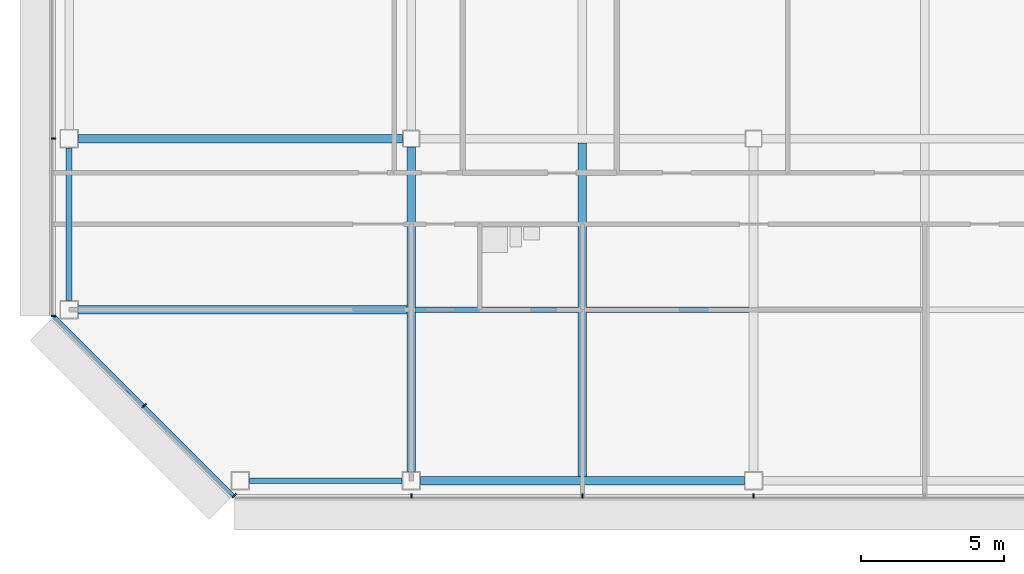
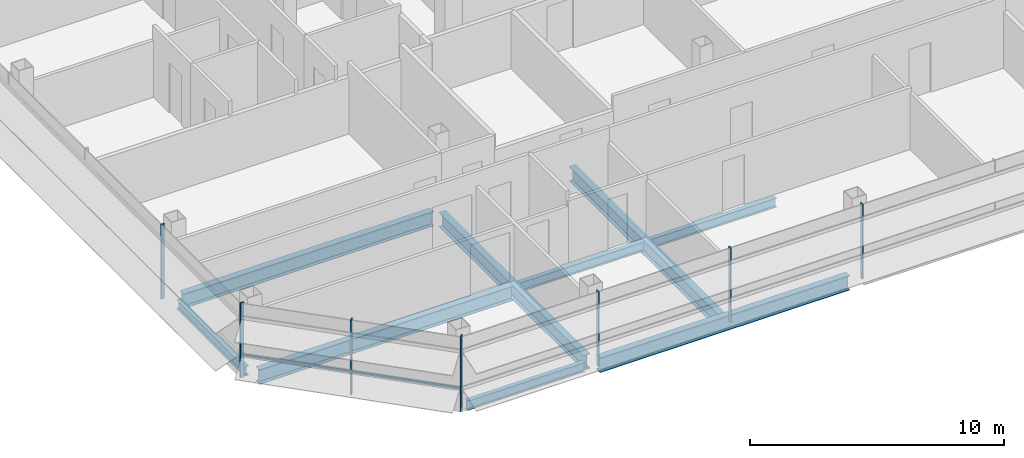
# One storey, part 2 of 26: 9 beams, 8 members, 3 elements without a shape of their own.
"""IFC4 building model written with IfcOpenShell, lengths in metres."""

from ifc_helpers import new_model, si_unit, direction, frame, origin, origin_2d, place, context, subcontext, project, spatial, rectangle, i_section, extrude, material, material_profile, profile_set, type_object, element, aggregate, save


model = new_model("IFC4")

# Units and contexts
model_context = context("Model", 3, precision=1e-05, world=origin(), true_north=direction((0.0, 1.0)))
body_context = subcontext(model_context, "Body", "Model", "MODEL_VIEW")
ifc_project = project(units=[si_unit("LENGTHUNIT", "METRE"), si_unit("AREAUNIT", "SQUARE_METRE"), si_unit("VOLUMEUNIT", "CUBIC_METRE"), si_unit("PLANEANGLEUNIT", "RADIAN"), si_unit("MASSUNIT", "GRAM", prefix="KILO")], contexts=[model_context])

# Site, building, storey
site_placement = place(None, origin())
site = spatial("IfcSite", under=ifc_project, at=site_placement, CompositionType="ELEMENT")
building_placement = place(site_placement, origin())
building = spatial("IfcBuilding", under=site, at=building_placement, Name="Sorahane Residences", CompositionType="ELEMENT")
storey_placement = place(building_placement, frame((0.0, 0.0, 222.60009765625)))
storey = spatial("IfcBuildingStorey", under=building, at=storey_placement, Name="L52", CompositionType="ELEMENT", Elevation=222.60009765625)

# Curtain wall, members
ifc_material_1 = material(Name="Dark low-e glass and black anodised aluminium", Category="aluminium")
curtain_wall_type_1 = type_object("IfcCurtainWallType", Name="Curtain wall CW-1 Typical unitised wall", PredefinedType="NOTDEFINED", material=ifc_material_1)
curtain_wall_1_placement = place(storey_placement, origin())
curtain_wall_1 = element("IfcCurtainWall", 1, at=curtain_wall_1_placement, inside=storey, type_object=curtain_wall_type_1, Name="CW-1 curtain wall L52 S1", PredefinedType="NOTDEFINED")
ifc_material_2 = material(Name="Black anodised aluminium", Category="aluminium")
ifc_material_profile_1 = material_profile(ifc_material_2, rectangle(XDim=0.159912109375, YDim=0.050048828125, at=origin_2d()), Name="Curtain wall mullion CW-1 black anodised aluminium 50x160")
ifc_profile_set_1 = profile_set([ifc_material_profile_1], Name="Black anodised aluminium")
member_type_1 = type_object("IfcMemberType", Name="Curtain wall mullion CW-1 black anodised aluminium 50x160", PredefinedType="MULLION", material=ifc_profile_set_1)
member_1_placement = place(storey_placement, frame((0.0, -0.5400390625, -0.18017578125), z_axis=(0.0, 0.0, 1.0), x_axis=(0.0, -1.0, 0.0)))
member_1 = element("IfcMember", 2, at=member_1_placement, type_object=member_type_1, Name="CW-1 mullion L52 S1.2", PredefinedType="MULLION", context=body_context, shape_type="SweptSolid", body=[
    extrude(rectangle(XDim=0.159912109375, YDim=0.050048828125, at=origin_2d()), origin(), (0.0, 0.0, 1.0), 3.60009765625),
])
member_2_placement = place(storey_placement, frame((6.0, -0.5400390625, -0.18017578125), z_axis=(0.0, 0.0, 1.0), x_axis=(0.0, -1.0, 0.0)))
member_2 = element("IfcMember", 3, at=member_2_placement, type_object=member_type_1, Name="CW-1 mullion L52 S1.3", PredefinedType="MULLION", context=body_context, shape_type="SweptSolid", body=[
    extrude(rectangle(XDim=0.159912109375, YDim=0.050048828125, at=origin_2d()), origin(), (0.0, 0.0, 1.0), 3.60009765625),
])
member_3_placement = place(storey_placement, frame((12.0, -0.5400390625, -0.18017578125), z_axis=(0.0, 0.0, 1.0), x_axis=(0.0, -1.0, 0.0)))
member_3 = element("IfcMember", 4, at=member_3_placement, type_object=member_type_1, Name="CW-1 mullion L52 S1.4", PredefinedType="MULLION", context=body_context, shape_type="SweptSolid", body=[
    extrude(rectangle(XDim=0.159912109375, YDim=0.050048828125, at=origin_2d()), origin(), (0.0, 0.0, 1.0), 3.60009765625),
])
aggregate(curtain_wall_1, [member_1, member_2, member_3])

curtain_wall_2_placement = place(storey_placement, origin())
curtain_wall_2 = element("IfcCurtainWall", 5, at=curtain_wall_2_placement, inside=storey, type_object=curtain_wall_type_1, Name="CW-1 curtain wall L52 W1", PredefinedType="NOTDEFINED")
member_4_placement = place(storey_placement, frame((-12.5400390625, 12.0, -0.18017578125), z_axis=(0.0, 0.0, 1.0), x_axis=(-1.0, 0.0, 0.0)))
member_4 = element("IfcMember", 6, at=member_4_placement, type_object=member_type_1, Name="CW-1 mullion L52 W1.6", PredefinedType="MULLION", context=body_context, shape_type="SweptSolid", body=[
    extrude(rectangle(XDim=0.159912109375, YDim=0.050048828125, at=origin_2d()), origin(), (0.0, 0.0, 1.0), 3.60009765625),
])
member_5_placement = place(storey_placement, frame((-12.5400390625, 5.7763671875, -0.18017578125), z_axis=(0.0, 0.0, 1.0), x_axis=(-1.0, 0.0, 0.0)))
member_5 = element("IfcMember", 7, at=member_5_placement, type_object=member_type_1, Name="CW-1 mullion L52 W1.7", PredefinedType="MULLION", context=body_context, shape_type="SweptSolid", body=[
    extrude(rectangle(XDim=0.159912109375, YDim=0.050048828125, at=origin_2d()), origin(), (0.0, 0.0, 1.0), 3.60009765625),
])
aggregate(curtain_wall_2, [member_4, member_5])

ifc_material_3 = material(Name="Dark low-e glass and black anodised aluminium", Category="aluminium")
curtain_wall_type_2 = type_object("IfcCurtainWallType", Name="Curtain wall CW-2 Chamfer unitised wall", PredefinedType="NOTDEFINED", material=ifc_material_3)
curtain_wall_3_placement = place(storey_placement, origin())
curtain_wall_3 = element("IfcCurtainWall", 8, at=curtain_wall_3_placement, inside=storey, type_object=curtain_wall_type_2, Name="CW-2 curtain wall L52 SW1", PredefinedType="NOTDEFINED")
ifc_material_4 = material(Name="Black anodised aluminium", Category="aluminium")
ifc_material_profile_2 = material_profile(ifc_material_4, rectangle(XDim=0.199951171875, YDim=0.050048828125, at=origin_2d()), Name="Curtain wall mullion CW-2 black anodised aluminium 50x200")
ifc_profile_set_2 = profile_set([ifc_material_profile_2], Name="Black anodised aluminium")
member_type_2 = type_object("IfcMemberType", Name="Curtain wall mullion CW-2 black anodised aluminium 50x200", PredefinedType="MULLION", material=ifc_profile_set_2)
member_6_placement = place(storey_placement, frame((-9.36767578125, 2.63232421875, -0.18017578125), z_axis=(0.0, 0.0, 1.0), x_axis=(-0.707106781187, -0.707106781187, 0.0)))
member_6 = element("IfcMember", 9, at=member_6_placement, type_object=member_type_2, Name="CW-2 mullion L52 SW1.2", PredefinedType="MULLION", context=body_context, shape_type="SweptSolid", body=[
    extrude(rectangle(XDim=0.199951171875, YDim=0.050048828125, at=origin_2d()), origin(), (0.0, 0.0, 1.0), 3.60009765625),
])
member_7_placement = place(storey_placement, frame((-6.209716796875, -0.525634765625, -0.18017578125), z_axis=(0.0, 0.0, 1.0), x_axis=(-0.707106781187, -0.707106781187, 0.0)))
member_7 = element("IfcMember", 10, at=member_7_placement, type_object=member_type_2, Name="CW-2 mullion L52 SW1.3", PredefinedType="MULLION", context=body_context, shape_type="SweptSolid", body=[
    extrude(rectangle(XDim=0.199951171875, YDim=0.050048828125, at=origin_2d()), origin(), (0.0, 0.0, 1.0), 3.60009765625),
])
ifc_material_5 = material(Name="Black anodised aluminium", Category="aluminium")
ifc_material_profile_3 = material_profile(ifc_material_5, rectangle(XDim=0.10009765625, YDim=0.06005859375, at=origin_2d()), Name="Curtain wall transom CW-2 black anodised aluminium 60x100")
ifc_profile_set_3 = profile_set([ifc_material_profile_3], Name="Black anodised aluminium")
member_type_3 = type_object("IfcMemberType", Name="Curtain wall transom CW-2 black anodised aluminium 60x100", PredefinedType="USERDEFINED", material=ifc_profile_set_3)
member_8_placement = place(storey_placement, frame((-12.51513671875, 5.765625, 0.89990234375), z_axis=(0.707106781187, -0.707106781187, 0.0), x_axis=(0.707106781187, 0.707106781187, 0.0)))
member_8 = element("IfcMember", 11, at=member_8_placement, type_object=member_type_3, Name="CW-2 transom L52 SW1", ObjectType="TRANSOM", PredefinedType="USERDEFINED", context=body_context, shape_type="SweptSolid", body=[
    extrude(rectangle(XDim=0.10009765625, YDim=0.06005859375, at=origin_2d()), origin(), (0.0, 0.0, 1.0), 8.88232421875),
])
aggregate(curtain_wall_3, [member_6, member_7, member_8])

# Beams
ifc_material_6 = material(Name="Steel Q355B", Category="steel")
ifc_material_profile_4 = material_profile(ifc_material_6, i_section(OverallWidth=0.199951171875, OverallDepth=0.449951171875, WebThickness=0.009033203125, FlangeThickness=0.013916015625, FilletRadius=0.02001953125, at=origin_2d()), Name="HN 450x200x9x14")
ifc_profile_set_4 = profile_set([ifc_material_profile_4], Name="Steel Q355B")
beam_type_1 = type_object("IfcBeamType", Name="Steel floor beam HN 450x200x9x14 Q355B", PredefinedType="BEAM", material=ifc_profile_set_4)
for number, where, z_axis, x_axis, name in (
    (12, (-5.675048828125, 0.0, -0.405029296875), (1.0, 0.0, 0.0), (0.0, 1.0, 0.0), "Beam L52 000"),
    (13, (-12.0, 6.324951171875, -0.405029296875), (0.0, 1.0, 0.0), (-1.0, 0.0, 0.0), "Beam L52 020"),
):
    element("IfcBeam", number, at=place(storey_placement, frame(where, z_axis=z_axis, x_axis=x_axis)), inside=storey, type_object=beam_type_1, Name=name, PredefinedType="BEAM", context=body_context, shape_type="SweptSolid", body=[
        extrude(i_section(OverallWidth=0.199951171875, OverallDepth=0.449951171875, WebThickness=0.009033203125, FlangeThickness=0.013916015625, FilletRadius=0.02001953125, at=origin_2d()), origin(), (0.0, 0.0, 1.0), 5.35009765625),
    ])
for number, where, z_axis, x_axis, name in (
    (14, (0.14990234375, 6.0, -0.405029296875), (1.0, 0.0, 0.0), (0.0, 1.0, 0.0), "Beam L52 069"),
    (15, (6.14990234375, 6.0, -0.405029296875), (1.0, 0.0, 0.0), (0.0, 1.0, 0.0), "Beam L52 070"),
):
    element("IfcBeam", number, at=place(storey_placement, frame(where, z_axis=z_axis, x_axis=x_axis)), inside=storey, type_object=beam_type_1, Name=name, PredefinedType="BEAM", context=body_context, shape_type="SweptSolid", body=[
        extrude(i_section(OverallWidth=0.199951171875, OverallDepth=0.449951171875, WebThickness=0.009033203125, FlangeThickness=0.013916015625, FilletRadius=0.02001953125, at=origin_2d()), origin(), (0.0, 0.0, 1.0), 5.7001953125),
    ])
ifc_material_7 = material(Name="Steel Q355B", Category="steel")
ifc_material_profile_5 = material_profile(ifc_material_7, i_section(OverallWidth=0.300048828125, OverallDepth=0.699951171875, WebThickness=0.012939453125, FlangeThickness=0.02392578125, FilletRadius=0.028076171875, at=origin_2d()), Name="HN 700x300x13x24")
ifc_profile_set_5 = profile_set([ifc_material_profile_5], Name="Steel Q355B")
beam_type_2 = type_object("IfcBeamType", Name="Steel floor beam HN 700x300x13x24 Q355B", PredefinedType="BEAM", material=ifc_profile_set_5)
beam_1_placement = place(storey_placement, frame((0.324951171875, 0.0, -0.530029296875), z_axis=(1.0, 0.0, 0.0), x_axis=(0.0, 1.0, 0.0)))
element("IfcBeam", 16, at=beam_1_placement, inside=storey, type_object=beam_type_2, Name="Beam L52 001", PredefinedType="BEAM", context=body_context, shape_type="SweptSolid", body=[
    extrude(i_section(OverallWidth=0.300048828125, OverallDepth=0.699951171875, WebThickness=0.012939453125, FlangeThickness=0.02392578125, FilletRadius=0.028076171875, at=origin_2d()), origin(), (0.0, 0.0, 1.0), 11.35009765625),
])
for number, where, z_axis, x_axis, name in (
    (17, (-11.675048828125, 12.0, -0.530029296875), (1.0, 0.0, 0.0), (0.0, 1.0, 0.0), "Beam L52 005"),
    (18, (0.0, 0.324951171875, -0.530029296875), (0.0, 1.0, 0.0), (-1.0, 0.0, 0.0), "Beam L52 024"),
):
    element("IfcBeam", number, at=place(storey_placement, frame(where, z_axis=z_axis, x_axis=x_axis)), inside=storey, type_object=beam_type_2, Name=name, PredefinedType="BEAM", context=body_context, shape_type="SweptSolid", body=[
        extrude(i_section(OverallWidth=0.300048828125, OverallDepth=0.699951171875, WebThickness=0.012939453125, FlangeThickness=0.02392578125, FilletRadius=0.028076171875, at=origin_2d()), origin(), (0.0, 0.0, 1.0), 11.375),
    ])
beam_2_placement = place(storey_placement, frame((6.0, 0.14990234375, -0.530029296875), z_axis=(0.0, 1.0, 0.0), x_axis=(-1.0, 0.0, 0.0)))
element("IfcBeam", 19, at=beam_2_placement, inside=storey, type_object=beam_type_2, Name="Beam L52 028", PredefinedType="BEAM", context=body_context, shape_type="SweptSolid", body=[
    extrude(i_section(OverallWidth=0.300048828125, OverallDepth=0.699951171875, WebThickness=0.012939453125, FlangeThickness=0.02392578125, FilletRadius=0.028076171875, at=origin_2d()), origin(), (0.0, 0.0, 1.0), 11.7001953125),
])
beam_3_placement = place(storey_placement, frame((-11.675048828125, 6.0, -0.530029296875), z_axis=(1.0, 0.0, 0.0), x_axis=(0.0, 1.0, 0.0)))
element("IfcBeam", 20, at=beam_3_placement, inside=storey, type_object=beam_type_2, Name="Beam L52 068", PredefinedType="BEAM", context=body_context, shape_type="SweptSolid", body=[
    extrude(i_section(OverallWidth=0.300048828125, OverallDepth=0.699951171875, WebThickness=0.012939453125, FlangeThickness=0.02392578125, FilletRadius=0.028076171875, at=origin_2d()), origin(), (0.0, 0.0, 1.0), 11.525146484375),
])

save(model, "model.ifc")
